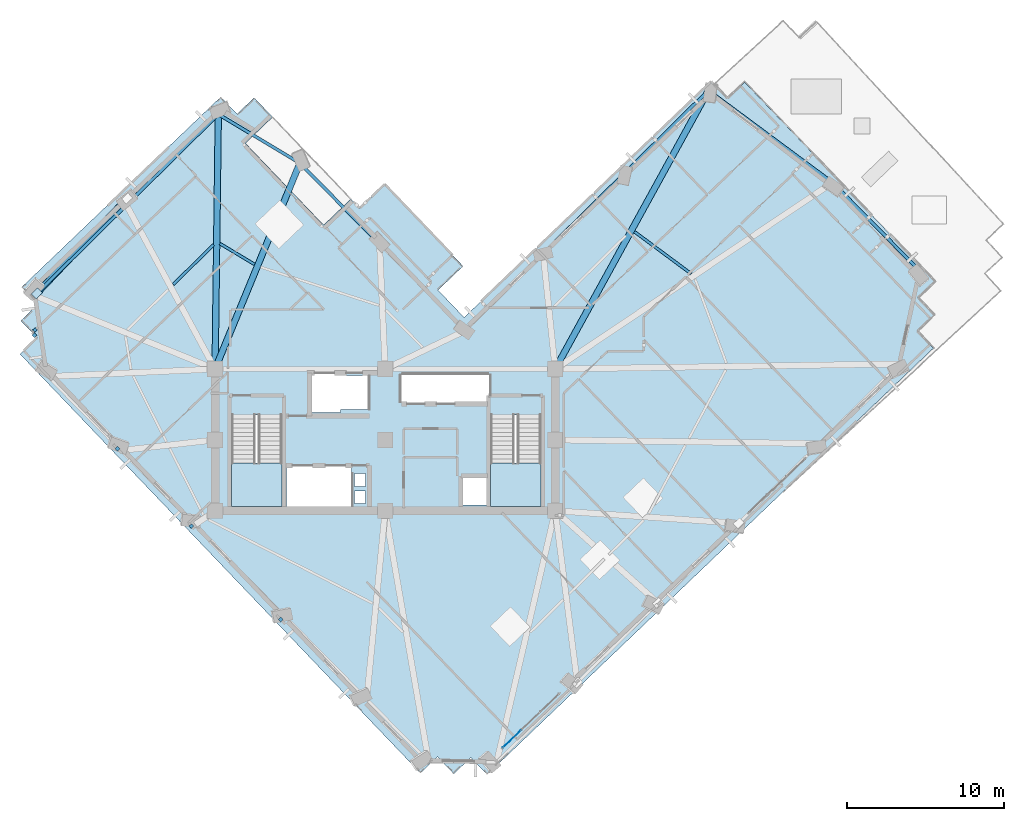
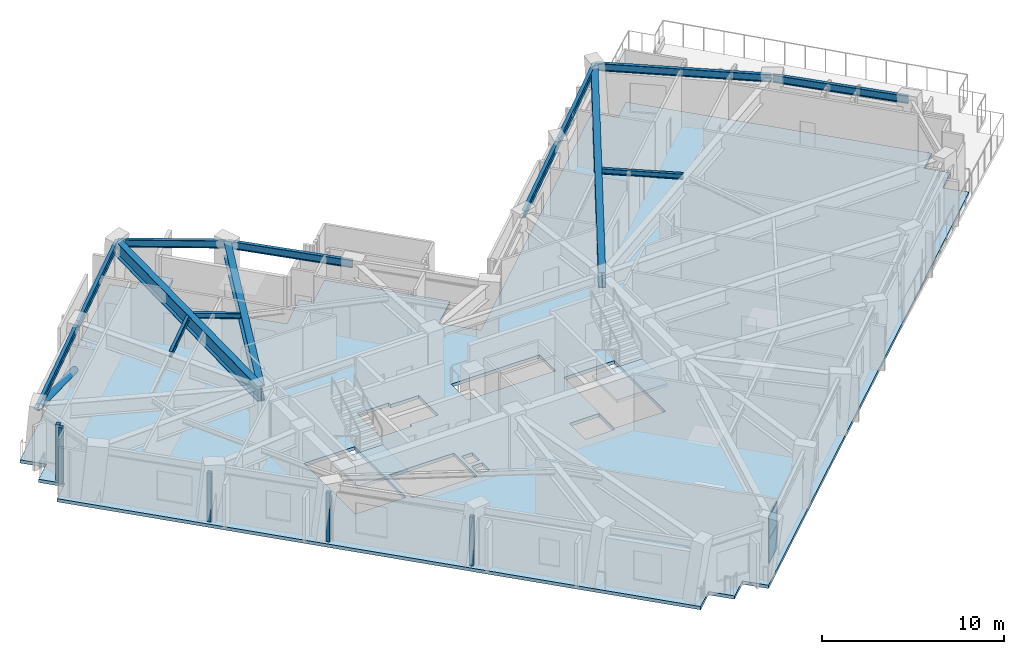
# One storey, part 6 of 17: 14 beams, 8 plates, 3 slabs, 1 member, 3 elements without a shape of their own.
"""IFC4 building model written with IfcOpenShell, lengths in metres."""

from ifc_helpers import new_model, si_unit, direction, frame, origin, origin_2d, place, context, subcontext, project, spatial, polyline, rectangle, hollow_circle, i_section, outline, extrude, material, layer, layer_set, material_profile, profile_set, type_object, element, aggregate, save


model = new_model("IFC4")

# Units and contexts
model_context = context("Model", 3, precision=1e-05, world=origin(), true_north=direction((0.0, 1.0)))
body_context = subcontext(model_context, "Body", "Model", "MODEL_VIEW")
ifc_project = project(units=[si_unit("LENGTHUNIT", "METRE"), si_unit("AREAUNIT", "SQUARE_METRE"), si_unit("VOLUMEUNIT", "CUBIC_METRE"), si_unit("PLANEANGLEUNIT", "RADIAN"), si_unit("MASSUNIT", "GRAM", prefix="KILO")], contexts=[model_context])

# Site, building, storey
site_placement = place(None, origin())
site = spatial("IfcSite", under=ifc_project, at=site_placement, CompositionType="ELEMENT")
building_placement = place(site_placement, origin())
building = spatial("IfcBuilding", under=site, at=building_placement, Name="Gaonmaruhae Medical Tower", CompositionType="ELEMENT")
storey_placement = place(building_placement, frame((0.0, 0.0, 211.199951171875)))
storey = spatial("IfcBuildingStorey", under=building, at=storey_placement, Name="L50", CompositionType="ELEMENT", Elevation=211.199951171875)

# Beams
ifc_material_1 = material(Name="Steel SM420", Category="steel")
ifc_material_profile_1 = material_profile(ifc_material_1, i_section(OverallWidth=0.39990234375, OverallDepth=1.0, WebThickness=0.02197265625, FlangeThickness=0.035888671875, at=origin_2d()), Name="BH-1000x400x22x36")
ifc_profile_set_1 = profile_set([ifc_material_profile_1], Name="Steel SM420")
beam_type_1 = type_object("IfcBeamType", Name="BG-02 Refuge Floor Primary Girder (BH-1000x400x22x36)", PredefinedType="BEAM", material=ifc_profile_set_1)
beam_1_placement = place(storey_placement, frame((35.6240234375, 16.84375, 3.280029296875), z_axis=(0.48187861994, 0.876237978887, 0.0), x_axis=(-0.876237978887, 0.48187861994, 0.0)))
element("IfcBeam", 1, at=beam_1_placement, inside=storey, type_object=beam_type_1, Name="L50 Radial Primary Girder E03", PredefinedType="BEAM", context=body_context, shape_type="SweptSolid", body=[
    extrude(i_section(OverallWidth=0.39990234375, OverallDepth=1.0, WebThickness=0.02197265625, FlangeThickness=0.035888671875, at=origin_2d()), origin(), (0.0, 0.0, 1.0), 20.0849609375),
])
beam_2_placement = place(storey_placement, frame((14.01904296875, 16.84619140625, 3.260009765625), z_axis=(0.380742807012, 0.924680980073, 0.0), x_axis=(-0.924680980073, 0.380742807012, 0.0)))
element("IfcBeam", 2, at=beam_2_placement, inside=storey, type_object=beam_type_1, Name="L50 Radial Primary Girder NE02", PredefinedType="BEAM", context=body_context, shape_type="SweptSolid", body=[
    extrude(i_section(OverallWidth=0.39990234375, OverallDepth=1.0, WebThickness=0.02197265625, FlangeThickness=0.035888671875, at=origin_2d()), origin(), (0.0, 0.0, 1.0), 14.037109375),
])
beam_3_placement = place(storey_placement, frame((14.000732421875, 16.85009765625, 3.280029296875), z_axis=(0.012616286507, 0.99992041149, 0.0), x_axis=(-0.99992041149, 0.012616286507, 0.0)))
element("IfcBeam", 3, at=beam_3_placement, inside=storey, type_object=beam_type_1, Name="L50 Radial Primary Girder N01", PredefinedType="BEAM", context=body_context, shape_type="SweptSolid", body=[
    extrude(i_section(OverallWidth=0.39990234375, OverallDepth=1.0, WebThickness=0.02197265625, FlangeThickness=0.035888671875, at=origin_2d()), origin(), (0.0, 0.0, 1.0), 16.080810546875),
])
ifc_material_2 = material(Name="Steel SM355", Category="steel")
ifc_material_profile_2 = material_profile(ifc_material_2, i_section(OverallWidth=0.175048828125, OverallDepth=0.35009765625, WebThickness=0.007080078125, FlangeThickness=0.010986328125, FilletRadius=0.012939453125, at=origin_2d()), Name="H-350x175x7x11")
ifc_profile_set_2 = profile_set([ifc_material_profile_2], Name="Steel SM355")
beam_type_2 = type_object("IfcBeamType", Name="FJ-02 Upper Zone Ward Floor Joist (H-350x175x7x11)", PredefinedType="JOIST", material=ifc_profile_set_2)
beam_4_placement = place(storey_placement, frame((44.22998046875, 22.85009765625, 3.60498046875), z_axis=(-0.803250206083, 0.595641760144, 0.0), x_axis=(-0.595641760144, -0.803250206083, 0.0)))
element("IfcBeam", 4, at=beam_4_placement, inside=storey, type_object=beam_type_2, Name="L50 Secondary Floor Joist FJ07", PredefinedType="JOIST", context=body_context, shape_type="SweptSolid", body=[
    extrude(i_section(OverallWidth=0.175048828125, OverallDepth=0.35009765625, WebThickness=0.007080078125, FlangeThickness=0.010986328125, FilletRadius=0.012939453125, at=origin_2d()), origin(), (0.0, 0.0, 1.0), 4.481689453125),
])
beam_5_placement = place(storey_placement, frame((16.5126953125, 23.443115234375, 3.60498046875), z_axis=(-0.857451076943, 0.514565496948, 0.0), x_axis=(-0.514565496948, -0.857451076943, 0.0)))
element("IfcBeam", 5, at=beam_5_placement, inside=storey, type_object=beam_type_2, Name="L50 Secondary Floor Joist FJ12", PredefinedType="JOIST", context=body_context, shape_type="SweptSolid", body=[
    extrude(i_section(OverallWidth=0.175048828125, OverallDepth=0.35009765625, WebThickness=0.007080078125, FlangeThickness=0.010986328125, FilletRadius=0.012939453125, at=origin_2d()), origin(), (0.0, 0.0, 1.0), 2.573974609375),
])
beam_6_placement = place(storey_placement, frame((13.895263671875, 24.685546875, 3.60498046875), z_axis=(-0.711405800213, -0.702781464911, 0.0), x_axis=(0.702781464911, -0.711405800213, 0.0)))
element("IfcBeam", 6, at=beam_6_placement, inside=storey, type_object=beam_type_2, Name="L50 Secondary Floor Joist FJ13", PredefinedType="JOIST", context=body_context, shape_type="SweptSolid", body=[
    extrude(i_section(OverallWidth=0.175048828125, OverallDepth=0.35009765625, WebThickness=0.007080078125, FlangeThickness=0.010986328125, FilletRadius=0.012939453125, at=origin_2d()), origin(), (0.0, 0.0, 1.0), 3.59521484375),
])

# Member
ifc_material_profile_3 = material_profile(ifc_material_1, hollow_circle(Radius=0.203125, WallThickness=0.0126953125, at=origin_2d()), Name="CHS-406.4x12.7")
ifc_profile_set_3 = profile_set([ifc_material_profile_3], Name="Steel SM420")
member_type = type_object("IfcMemberType", Name="PB-02 Perimeter Solid-Bay Tube Brace Mid (CHS-406.4x12.7)", PredefinedType="BRACE", material=ifc_profile_set_3)
member_placement = place(storey_placement, frame((8.4140625, 27.634765625, 0.25), z_axis=(-0.643165584889, -0.676373768368, 0.358965953648), x_axis=(0.724672731689, -0.6890931954, 0.0)))
element("IfcMember", 7, at=member_placement, inside=storey, type_object=member_type, Name="L50 Perimeter Tube Solid-Bay Brace N02-N03", PredefinedType="BRACE", context=body_context, shape_type="SweptSolid", body=[
    extrude(hollow_circle(Radius=0.203125, WallThickness=0.0126953125, at=origin_2d()), origin(), (0.0, 0.0, 1.0), 8.917724609375),
])

# Beams
ifc_material_profile_4 = material_profile(ifc_material_2, i_section(OverallWidth=0.199951171875, OverallDepth=0.5, WebThickness=0.010009765625, FlangeThickness=0.01611328125, FilletRadius=0.012939453125, at=origin_2d()), Name="H-500x200x10x16")
ifc_profile_set_4 = profile_set([ifc_material_profile_4], Name="Steel SM355")
beam_type_3 = type_object("IfcBeamType", Name="SP-02 Upper Perimeter Spandrel Beam (H-500x200x10x16)", PredefinedType="SPANDREL", material=ifc_profile_set_4)
beam_7_placement = place(storey_placement, frame((58.664306640625, 23.11962890625, 3.530029296875), z_axis=(-0.70279275978, 0.711394642094, 0.0), x_axis=(-0.711394642094, -0.70279275978, 0.0)))
element("IfcBeam", 8, at=beam_7_placement, inside=storey, type_object=beam_type_3, Name="L50 Perimeter Spandrel Beam E01-E02", PredefinedType="SPANDREL", context=body_context, shape_type="SweptSolid", body=[
    extrude(i_section(OverallWidth=0.199951171875, OverallDepth=0.5, WebThickness=0.010009765625, FlangeThickness=0.01611328125, FilletRadius=0.012939453125, at=origin_2d()), origin(), (0.0, 0.0, 1.0), 7.719970703125),
])
beam_8_placement = place(storey_placement, frame((53.178466796875, 28.663818359375, 3.530029296875), z_axis=(-0.80322343413, 0.595677861653, 0.0), x_axis=(-0.595677861653, -0.80322343413, 0.0)))
element("IfcBeam", 9, at=beam_8_placement, inside=storey, type_object=beam_type_3, Name="L50 Perimeter Spandrel Beam E02-E03", PredefinedType="SPANDREL", context=body_context, shape_type="SweptSolid", body=[
    extrude(i_section(OverallWidth=0.199951171875, OverallDepth=0.5, WebThickness=0.010009765625, FlangeThickness=0.01611328125, FilletRadius=0.012939453125, at=origin_2d()), origin(), (0.0, 0.0, 1.0), 9.7353515625),
])
beam_9_placement = place(storey_placement, frame((45.298095703125, 34.45849609375, 3.530029296875), z_axis=(-0.71140775773, -0.702779483367, 0.0), x_axis=(0.702779483367, -0.71140775773, 0.0)))
element("IfcBeam", 10, at=beam_9_placement, inside=storey, type_object=beam_type_3, Name="L50 Perimeter Spandrel Beam E03-EN01", PredefinedType="SPANDREL", context=body_context, shape_type="SweptSolid", body=[
    extrude(i_section(OverallWidth=0.199951171875, OverallDepth=0.5, WebThickness=0.010009765625, FlangeThickness=0.01611328125, FilletRadius=0.012939453125, at=origin_2d()), origin(), (0.0, 0.0, 1.0), 7.469970703125),
])
for number, where, z_axis, x_axis, name in (
    (11, (39.927001953125, 29.152587890625, 3.530029296875), (-0.711414118366, -0.702773044581, 0.0), (0.702773044581, -0.711414118366, 0.0), "L50 Perimeter Spandrel Beam EN01-EN02"),
    (12, (24.414306640625, 24.7783203125, 3.510009765625), (-0.702773044581, 0.711414118366, 0.0), (-0.711414118366, -0.702773044581, 0.0), "L50 Perimeter Spandrel Beam NE01-NE02"),
):
    element("IfcBeam", number, at=place(storey_placement, frame(where, z_axis=z_axis, x_axis=x_axis)), inside=storey, type_object=beam_type_3, Name=name, PredefinedType="SPANDREL", context=body_context, shape_type="SweptSolid", body=[
        extrude(i_section(OverallWidth=0.199951171875, OverallDepth=0.5, WebThickness=0.010009765625, FlangeThickness=0.01611328125, FilletRadius=0.012939453125, at=origin_2d()), origin(), (0.0, 0.0, 1.0), 7.119873046875),
    ])
beam_10_placement = place(storey_placement, frame((19.34814453125, 29.892578125, 3.510009765625), z_axis=(-0.857445927969, 0.514574076893, 0.0), x_axis=(-0.514574076893, -0.857445927969, 0.0)))
element("IfcBeam", 13, at=beam_10_placement, inside=storey, type_object=beam_type_3, Name="L50 Perimeter Spandrel Beam NE02-N01", PredefinedType="SPANDREL", context=body_context, shape_type="SweptSolid", body=[
    extrude(i_section(OverallWidth=0.199951171875, OverallDepth=0.5, WebThickness=0.010009765625, FlangeThickness=0.01611328125, FilletRadius=0.012939453125, at=origin_2d()), origin(), (0.0, 0.0, 1.0), 5.959228515625),
])
beam_11_placement = place(storey_placement, frame((14.17578125, 32.95166015625, 3.530029296875), z_axis=(-0.711423038771, -0.702764014379, 0.0), x_axis=(0.702764014379, -0.711423038771, 0.0)))
element("IfcBeam", 14, at=beam_11_placement, inside=storey, type_object=beam_type_3, Name="L50 Perimeter Spandrel Beam N01-N02", PredefinedType="SPANDREL", context=body_context, shape_type="SweptSolid", body=[
    extrude(i_section(OverallWidth=0.199951171875, OverallDepth=0.5, WebThickness=0.010009765625, FlangeThickness=0.01611328125, FilletRadius=0.012939453125, at=origin_2d()), origin(), (0.0, 0.0, 1.0), 8.1201171875),
])
beam_12_placement = place(storey_placement, frame((8.342041015625, 27.188720703125, 3.530029296875), z_axis=(-0.711408189353, -0.702779046445, 0.0), x_axis=(0.702779046445, -0.711408189353, 0.0)))
element("IfcBeam", 15, at=beam_12_placement, inside=storey, type_object=beam_type_3, Name="L50 Perimeter Spandrel Beam N02-N03", PredefinedType="SPANDREL", context=body_context, shape_type="SweptSolid", body=[
    extrude(i_section(OverallWidth=0.199951171875, OverallDepth=0.5, WebThickness=0.010009765625, FlangeThickness=0.01611328125, FilletRadius=0.012939453125, at=origin_2d()), origin(), (0.0, 0.0, 1.0), 8.119873046875),
])

# Curtain wall, plates
ifc_material_3 = material(Name="Anodised aluminium and Low-E double glazing", Category="aluminium")
curtain_wall_type = type_object("IfcCurtainWallType", Name="CW-S4 Setback Sky Garden Wintergarden Curtain Wall", PredefinedType="NOTDEFINED", material=ifc_material_3)
curtain_wall_placement = place(storey_placement, origin())
curtain_wall = element("IfcCurtainWall", 16, at=curtain_wall_placement, inside=storey, type_object=curtain_wall_type, Name="L50 Curtain Wall CW-L50-S01", PredefinedType="NOTDEFINED")
ifc_material_4 = material(Name="Low-E double solar glass", Category="glass")
ifc_layer_1 = layer(ifc_material_4, 0.028076171875)
ifc_layer_set_1 = layer_set([ifc_layer_1], Name="Low-E double solar glass")
plate_type_1 = type_object("IfcPlateType", Name="CWP-V1 Low-E Double Vision Glazing Panel", PredefinedType="CURTAIN_PANEL", material=ifc_layer_set_1)
plate_1_placement = place(storey_placement, frame((32.859619140625, -6.68359375, 0.06494140625), z_axis=(0.0, 0.0, 1.0), x_axis=(-0.722967183097, -0.690882372162, 0.0)))
plate_1 = element("IfcPlate", 17, at=plate_1_placement, type_object=plate_type_1, Name="CW-S4 panel 3.1", PredefinedType="CURTAIN_PANEL", context=body_context, shape_type="SweptSolid", body=[
    extrude(rectangle(XDim=1.586669921875, YDim=0.028076171875, at=origin_2d()), origin(), (0.0, 0.0, 1.0), 1.534912109375),
])
plate_2_placement = place(storey_placement, frame((32.859619140625, -6.68359375, 1.6650390625), z_axis=(0.0, 0.0, 1.0), x_axis=(-0.722967183097, -0.690882372162, 0.0)))
plate_2 = element("IfcPlate", 18, at=plate_2_placement, type_object=plate_type_1, Name="CW-S4 panel 3.2", PredefinedType="CURTAIN_PANEL", context=body_context, shape_type="SweptSolid", body=[
    extrude(rectangle(XDim=1.586669921875, YDim=0.028076171875, at=origin_2d()), origin(), (0.0, 0.0, 1.0), 1.534912109375),
])
aggregate(curtain_wall, [plate_1, plate_2])

# Slab
ifc_material_5 = material(Name="Concrete C40/50", Category="concrete")
ifc_layer_2 = layer(ifc_material_5, 0.219970703125)
ifc_layer_set_2 = layer_set([ifc_layer_2], Name="Concrete C40/50")
slab_type_1 = type_object("IfcSlabType", Name="FS-220 Clinical Ward Composite Floor Slab", PredefinedType="FLOOR", material=ifc_layer_set_2)
slab_1_placement = place(storey_placement, frame((0.0, 0.0, -0.219970703125)))
element("IfcSlab", 19, at=slab_1_placement, inside=storey, type_object=slab_type_1, Name="L50 Structural Slab 1", PredefinedType="FLOOR", context=body_context, shape_type="SweptSolid", body=[
    extrude(outline(polyline([(45.50341796875, 35.068603515625), (46.53955078125, 33.98388671875), (47.6240234375, 35.0205078125), (59.714599609375, 22.368408203125), (58.630126953125, 21.33203125), (59.66650390625, 20.247802734375), (58.581787109375, 19.211181640625), (59.618408203125, 18.126953125), (31.27783203125, -8.955810546875), (30.24169921875, -7.871337890625), (29.1572265625, -8.90771484375), (28.120849609375, -7.822998046875), (27.036376953125, -8.859619140625), (1.61181640625, 17.74560546875), (2.6962890625, 18.781982421875), (1.659912109375, 19.866455078125), (2.744384765625, 20.90283203125), (1.708251953125, 21.9873046875), (14.360107421875, 34.07763671875), (15.396484375, 32.993408203125), (16.48095703125, 34.029541015625), (17.655517578125, 32.800537109375), (15.92041015625, 31.142333984375), (20.89453125, 25.93701171875), (22.629638671875, 27.59521484375), (23.182373046875, 27.016845703125), (24.77294921875, 28.536865234375), (29.747314453125, 23.331298828125), (28.15673828125, 21.8115234375), (29.81494140625, 20.076416015625), (45.50341796875, 35.068603515625)]), holes=[polyline([(23.550048828125, 8.25), (22.85009765625, 8.25), (22.85009765625, 9.050048828125), (23.550048828125, 9.050048828125), (23.550048828125, 8.25)]), polyline([(31.425048828125, 9.925048828125), (31.425048828125, 8.175048828125), (29.574951171875, 8.175048828125), (29.574951171875, 9.925048828125), (31.425048828125, 9.925048828125)]), polyline([(22.64990234375, 10.625), (22.64990234375, 8.074951171875), (18.550048828125, 8.074951171875), (18.550048828125, 10.625), (22.64990234375, 10.625)]), polyline([(23.550048828125, 9.35009765625), (22.85009765625, 9.35009765625), (22.85009765625, 10.14990234375), (23.550048828125, 10.14990234375), (23.550048828125, 9.35009765625)]), polyline([(15.050048828125, 13.889892578125), (18.25, 13.889892578125), (18.25, 8.300048828125), (15.050048828125, 8.300048828125), (15.050048828125, 13.889892578125)]), polyline([(31.5, 13.889892578125), (34.699951171875, 13.889892578125), (34.699951171875, 8.300048828125), (31.5, 8.300048828125), (31.5, 13.889892578125)]), polyline([(21.949951171875, 14.22509765625), (21.949951171875, 14.02490234375), (19.949951171875, 14.02490234375), (19.949951171875, 16.574951171875), (21.949951171875, 16.574951171875), (21.949951171875, 16.375), (23.72509765625, 16.375), (23.72509765625, 14.22509765625), (21.949951171875, 14.22509765625)]), polyline([(31.425048828125, 16.425048828125), (31.425048828125, 14.675048828125), (25.824951171875, 14.675048828125), (25.824951171875, 16.425048828125), (31.425048828125, 16.425048828125)])]), origin(), (0.0, 0.0, 1.0), 0.219970703125),
])

# Plates
ifc_material_6 = material(Name="Steel HSA650 (650 MPa)", Category="steel")
ifc_layer_3 = layer(ifc_material_6, 0.028076171875)
ifc_layer_set_3 = layer_set([ifc_layer_3], Name="Steel HSA650 (650 MPa)")
plate_type_2 = type_object("IfcPlateType", Name="GP-02 Tube Brace End Cap Gusset Plate", PredefinedType="USERDEFINED", material=ifc_layer_set_3)
plate_3_placement = place(storey_placement, frame((2.678466796875, 21.60302734375, 3.43701171875), z_axis=(0.0, 0.0, 1.0), x_axis=(0.711413030818, 0.702774145499, 0.0)))
element("IfcPlate", 20, at=plate_3_placement, inside=storey, type_object=plate_type_2, Name="L50 Gusset Cap Plate PLT-L50-PBR-N02B", ObjectType="GUSSET_PLATE", PredefinedType="USERDEFINED", context=body_context, shape_type="SweptSolid", body=[
    extrude(rectangle(XDim=0.56005859375, YDim=0.43994140625, at=origin_2d()), origin(), (0.0, 0.0, 1.0), 0.028076171875),
])
ifc_material_7 = material(Name="Anodised aluminium 6063-T6", Category="aluminium")
ifc_layer_4 = layer(ifc_material_7, 0.011962890625)
ifc_layer_set_4 = layer_set([ifc_layer_4], Name="Anodised aluminium 6063-T6")
plate_type_3 = type_object("IfcPlateType", Name="PP-01 Interior Partition Corner Stiffener Plate", PredefinedType="SHEET", material=ifc_layer_set_4)
for number, where, z_axis, x_axis, name in (
    (21, (18.1669921875, 0.885498046875, 0.0), (0.0, 0.0, 1.0), (-0.691046429334, 0.722810371055, 0.0), "L50 Partition Corner Stiffener Plate PLT-L50-JGP-PW038"),
    (22, (12.491455078125, 6.823974609375, 0.0), (0.0, 0.0, 1.0), (-0.690743598617, 0.723099772486, 0.0), "L50 Partition Corner Stiffener Plate PLT-L50-JGP-PW041"),
    (23, (7.804443359375, 11.72900390625, 0.0), (0.0, 0.0, 1.0), (-0.690958116231, 0.722894792909, 0.0), "L50 Partition Corner Stiffener Plate PLT-L50-JGP-PW048"),
):
    element("IfcPlate", number, at=place(storey_placement, frame(where, z_axis=z_axis, x_axis=x_axis)), inside=storey, type_object=plate_type_3, Name=name, PredefinedType="SHEET", context=body_context, shape_type="SweptSolid", body=[
        extrude(rectangle(XDim=0.219970703125, YDim=0.219970703125, at=origin_2d()), origin(), (0.0, 0.0, 1.0), 3.264892578125),
    ])
for number, where, z_axis, x_axis, name in (
    (24, (2.56494140625, 19.279052734375, 0.0), (0.0, 0.0, 1.0), (0.722991261815, 0.690857174342, 0.0), "L50 Partition Corner Stiffener Plate PLT-L50-JGP-PW053"),
    (25, (2.54052734375, 18.944580078125, 0.0), (0.0, 0.0, 1.0), (-0.691374359114, 0.722496709722, 0.0), "L50 Partition Corner Stiffener Plate PLT-L50-JGP-PW058"),
):
    element("IfcPlate", number, at=place(storey_placement, frame(where, z_axis=z_axis, x_axis=x_axis)), inside=storey, type_object=plate_type_3, Name=name, PredefinedType="SHEET", context=body_context, shape_type="SweptSolid", body=[
        extrude(rectangle(XDim=0.219970703125, YDim=0.219970703125, at=origin_2d()), origin(), (0.0, 0.0, 1.0), 3.780029296875),
    ])

# Stair, slab
stair_type = type_object("IfcStairType", Name="ST-T1 Primary Core Escape Dogleg Stair", PredefinedType="TWO_QUARTER_TURN_STAIR", material=ifc_material_5)
stair_1_placement = place(storey_placement, origin())
stair_1 = element("IfcStair", 26, at=stair_1_placement, inside=storey, type_object=stair_type, Name="L50 Protected Escape Stair ST-01", PredefinedType="TWO_QUARTER_TURN_STAIR")
ifc_layer_5 = layer(ifc_material_5, 0.199951171875)
ifc_layer_set_5 = layer_set([ifc_layer_5], Name="Concrete C40/50")
slab_type_2 = type_object("IfcSlabType", Name="SL-200 Stair & Ramp Intermediate Concrete Landing", PredefinedType="LANDING", material=ifc_layer_set_5)
slab_2_placement = place(storey_placement, frame((0.0, 0.0, 1.800048828125)))
slab_2 = element("IfcSlab", 27, at=slab_2_placement, type_object=slab_type_2, Name="ST-01 landing 1", PredefinedType="LANDING", context=body_context, shape_type="SweptSolid", body=[
    extrude(outline(polyline([(15.050048828125, 10.820068359375), (15.050048828125, 8.0791015625), (18.25, 8.0791015625), (18.25, 10.820068359375), (15.050048828125, 10.820068359375)])), origin(), (0.0, 0.0, 1.0), 0.199951171875),
])
aggregate(stair_1, [slab_2])

stair_2_placement = place(storey_placement, origin())
stair_2 = element("IfcStair", 28, at=stair_2_placement, inside=storey, type_object=stair_type, Name="L50 Protected Escape Stair ST-02", PredefinedType="TWO_QUARTER_TURN_STAIR")
slab_3_placement = place(storey_placement, frame((0.0, 0.0, 1.800048828125)))
slab_3 = element("IfcSlab", 29, at=slab_3_placement, type_object=slab_type_2, Name="ST-02 landing 1", PredefinedType="LANDING", context=body_context, shape_type="SweptSolid", body=[
    extrude(outline(polyline([(31.5, 10.820068359375), (31.5, 8.0791015625), (34.699951171875, 8.0791015625), (34.699951171875, 10.820068359375), (31.5, 10.820068359375)])), origin(), (0.0, 0.0, 1.0), 0.199951171875),
])
aggregate(stair_2, [slab_3])

save(model, "model.ifc")
